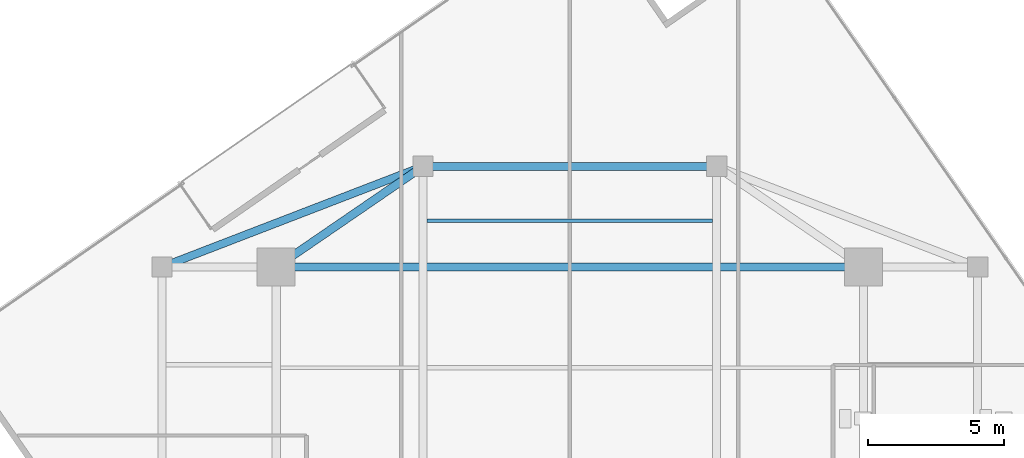
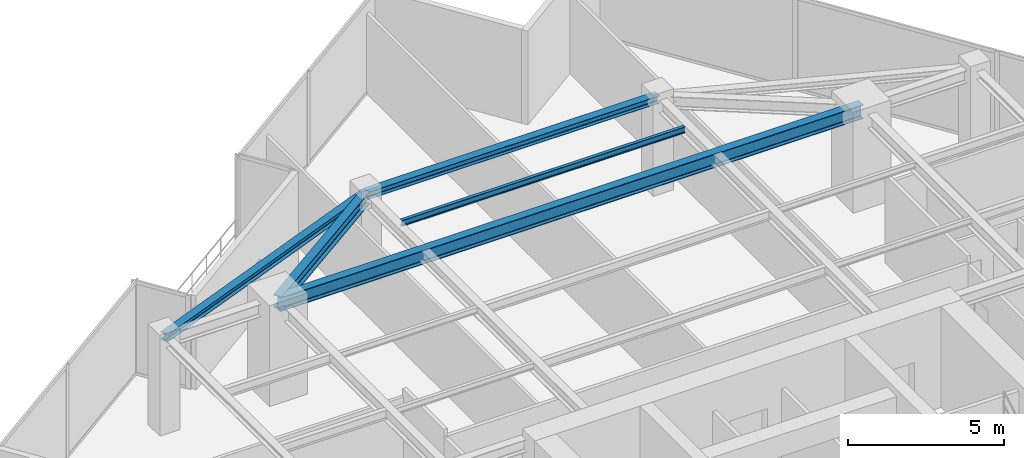
# One storey, part 13 of 21: 5 beams.
"""IFC4 building model written with IfcOpenShell, lengths in metres."""

from ifc_helpers import new_model, si_unit, direction, frame, origin, origin_2d, place, context, subcontext, project, spatial, i_section, extrude, source, transform, mapped, material, material_profile, profile_set, type_object, type_shapes, element, save


model = new_model("IFC4")

# Units and contexts
model_context = context("Model", 3, precision=1e-05, world=origin(), true_north=direction((0.0, 1.0)))
body_context = subcontext(model_context, "Body", "Model", "MODEL_VIEW")
ifc_project = project(units=[si_unit("LENGTHUNIT", "METRE"), si_unit("AREAUNIT", "SQUARE_METRE"), si_unit("VOLUMEUNIT", "CUBIC_METRE"), si_unit("PLANEANGLEUNIT", "RADIAN"), si_unit("MASSUNIT", "GRAM", prefix="KILO")], contexts=[model_context])

# Site, building, storey
site_placement = place(None, origin())
site = spatial("IfcSite", under=ifc_project, at=site_placement, CompositionType="ELEMENT")
building_placement = place(site_placement, origin())
building = spatial("IfcBuilding", under=site, at=building_placement, Name="Krantzveldt Concourse Tower", CompositionType="ELEMENT")
storey_placement = place(building_placement, frame((0.0, 0.0, 275.300048828125)))
storey = spatial("IfcBuildingStorey", under=building, at=storey_placement, Name="L67", CompositionType="ELEMENT", Elevation=275.300048828125)

# Beams
ifc_material = material(Name="Steel S355JR", Category="steel")
ifc_material_profile_1 = material_profile(ifc_material, i_section(OverallWidth=0.300048828125, OverallDepth=0.489990234375, WebThickness=0.011962890625, FlangeThickness=0.02294921875, FilletRadius=0.027099609375, at=origin_2d()), Name="Steel S355JR", Category="steel")
ifc_profile_set_1 = profile_set([ifc_material_profile_1], Name="Steel S355JR - HEA 500")
beam_type_1 = type_object("IfcBeamType", Name="BM-B-HEA500", PredefinedType="BEAM", material=ifc_profile_set_1)
shared_shape_1 = source(origin(), body_context, "Body", "SweptSolid", [
    extrude(i_section(OverallWidth=0.300048828125, OverallDepth=0.489990234375, WebThickness=0.011962890625, FlangeThickness=0.02294921875, FilletRadius=0.027099609375, at=origin_2d()), origin(), (0.0, 0.0, 1.0), 6.546142578125),
])
type_shapes(beam_type_1, [shared_shape_1])
beam_1_placement = place(storey_placement, frame((25.199951171875, 37.5, 3.425048828125), z_axis=(0.824942999484, 0.565215930068, 0.0), x_axis=(-0.565215930068, 0.824942999484, 0.0)))
element("IfcBeam", 1, at=beam_1_placement, inside=storey, type_object=beam_type_1, Name="L67 Tower Girder BR-RL4", PredefinedType="BEAM", context=body_context, shape_type="MappedRepresentation", body=[
    mapped(shared_shape_1, transform((0.0, 0.0, 0.0), x_axis=(1.0, 0.0, 0.0), y_axis=(0.0, 1.0, 0.0), z_axis=(0.0, 0.0, 1.0), scale=1.0)),
])
ifc_material_profile_2 = material_profile(ifc_material, i_section(OverallWidth=0.300048828125, OverallDepth=0.5400390625, WebThickness=0.012451171875, FlangeThickness=0.02392578125, FilletRadius=0.027099609375, at=origin_2d()), Name="Steel S355JR", Category="steel")
ifc_profile_set_2 = profile_set([ifc_material_profile_2], Name="Steel S355JR - HEA 550")
beam_type_2 = type_object("IfcBeamType", Name="BM-B-HEA550", PredefinedType="BEAM", material=ifc_profile_set_2)
shared_shape_2 = source(origin(), body_context, "Body", "SweptSolid", [
    extrude(i_section(OverallWidth=0.300048828125, OverallDepth=0.5400390625, WebThickness=0.012451171875, FlangeThickness=0.02392578125, FilletRadius=0.027099609375, at=origin_2d()), origin(), (0.0, 0.0, 1.0), 21.60009765625),
])
type_shapes(beam_type_2, [shared_shape_2])
beam_2_placement = place(storey_placement, frame((25.199951171875, 37.5, 3.39990234375), z_axis=(1.0, 0.0, 0.0), x_axis=(0.0, 1.0, 0.0)))
element("IfcBeam", 2, at=beam_2_placement, inside=storey, type_object=beam_type_2, Name="L67 Tower Girder BG-MN", PredefinedType="BEAM", context=body_context, shape_type="MappedRepresentation", body=[
    mapped(shared_shape_2, transform((0.0, 0.0, 0.0), x_axis=(1.0, 0.0, 0.0), y_axis=(0.0, 1.0, 0.0), z_axis=(0.0, 0.0, 1.0), scale=1.0)),
])
ifc_material_profile_3 = material_profile(ifc_material, i_section(OverallWidth=0.2900390625, OverallDepth=0.2900390625, WebThickness=0.008544921875, FlangeThickness=0.013916015625, FilletRadius=0.027099609375, at=origin_2d()), Name="Steel S355JR", Category="steel")
ifc_profile_set_3 = profile_set([ifc_material_profile_3], Name="Steel S355JR - HEA 300")
beam_type_3 = type_object("IfcBeamType", Name="BM-SP-HEA300", PredefinedType="SPANDREL", material=ifc_profile_set_3)
shared_shape_3 = source(origin(), body_context, "Body", "SweptSolid", [
    extrude(i_section(OverallWidth=0.2900390625, OverallDepth=0.2900390625, WebThickness=0.008544921875, FlangeThickness=0.013916015625, FilletRadius=0.027099609375, at=origin_2d()), origin(), (0.0, 0.0, 1.0), 10.288330078125),
])
beam_3_placement = place(storey_placement, frame((21.0, 37.5, 3.52490234375), z_axis=(0.933097690408, 0.359622997257, 0.0), x_axis=(-0.359622997257, 0.933097690408, 0.0)))
element("IfcBeam", 3, at=beam_3_placement, inside=storey, type_object=beam_type_3, Name="L67 Tower Girder SP-R03", PredefinedType="SPANDREL", context=body_context, shape_type="MappedRepresentation", body=[
    mapped(shared_shape_3, transform((0.0, 0.0, 0.0), x_axis=(1.0, 0.0, 0.0), y_axis=(0.0, 1.0, 0.0), z_axis=(0.0, 0.0, 1.0), scale=1.0)),
])
shared_shape_4 = source(origin(), body_context, "Body", "SweptSolid", [
    extrude(i_section(OverallWidth=0.2900390625, OverallDepth=0.2900390625, WebThickness=0.008544921875, FlangeThickness=0.013916015625, FilletRadius=0.027099609375, at=origin_2d()), origin(), (0.0, 0.0, 1.0), 10.7998046875),
])
type_shapes(beam_type_3, [shared_shape_3, shared_shape_4])
beam_4_placement = place(storey_placement, frame((30.60009765625, 41.199951171875, 3.52490234375), z_axis=(1.0, 0.0, 0.0), x_axis=(0.0, 1.0, 0.0)))
element("IfcBeam", 4, at=beam_4_placement, inside=storey, type_object=beam_type_3, Name="L67 Tower Girder SP-R04", PredefinedType="SPANDREL", context=body_context, shape_type="MappedRepresentation", body=[
    mapped(shared_shape_4, transform((0.0, 0.0, 0.0), x_axis=(1.0, 0.0, 0.0), y_axis=(0.0, 1.0, 0.0), z_axis=(0.0, 0.0, 1.0), scale=1.0)),
])
ifc_material_profile_4 = material_profile(ifc_material, i_section(OverallWidth=0.1201171875, OverallDepth=0.239990234375, WebThickness=0.006103515625, FlangeThickness=0.009765625, FilletRadius=0.014892578125, at=origin_2d()), Name="Steel S355JR", Category="steel")
ifc_profile_set_4 = profile_set([ifc_material_profile_4], Name="Steel S355JR - IPE 240")
beam_type_4 = type_object("IfcBeamType", Name="BM-LN-IPE240", PredefinedType="LINTEL", material=ifc_profile_set_4)
shared_shape_5 = source(origin(), body_context, "Body", "SweptSolid", [
    extrude(i_section(OverallWidth=0.1201171875, OverallDepth=0.239990234375, WebThickness=0.006103515625, FlangeThickness=0.009765625, FilletRadius=0.014892578125, at=origin_2d()), origin(), (0.0, 0.0, 1.0), 10.5),
])
type_shapes(beam_type_4, [shared_shape_5])
beam_5_placement = place(storey_placement, frame((30.75, 39.199951171875, 3.550048828125), z_axis=(1.0, 0.0, 0.0), x_axis=(0.0, 1.0, 0.0)))
element("IfcBeam", 5, at=beam_5_placement, inside=storey, type_object=beam_type_4, Name="L67 Secondary Floor Joist JN-C3", PredefinedType="LINTEL", context=body_context, shape_type="MappedRepresentation", body=[
    mapped(shared_shape_5, transform((0.0, 0.0, 0.0), x_axis=(1.0, 0.0, 0.0), y_axis=(0.0, 1.0, 0.0), z_axis=(0.0, 0.0, 1.0), scale=1.0)),
])

save(model, "model.ifc")
